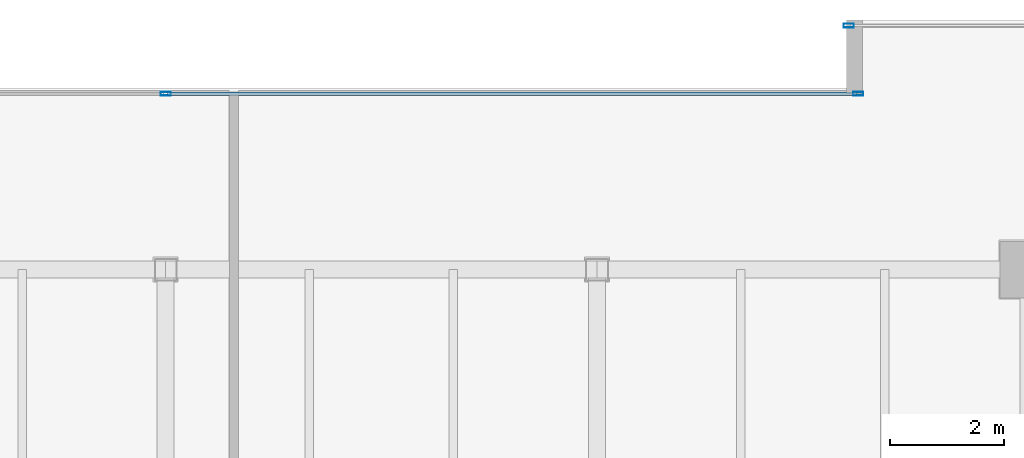
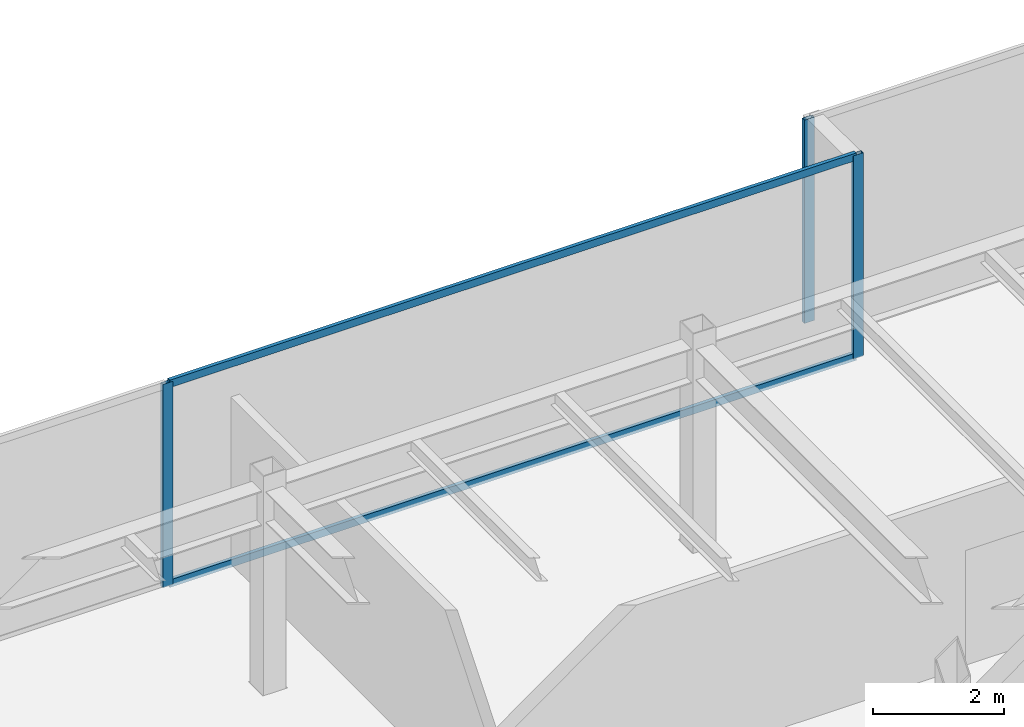
# One storey, part 19 of 35: 5 members, 2 elements without a shape of their own.
"""IFC4 building model written with IfcOpenShell, lengths in metres."""

from ifc_helpers import new_model, si_unit, direction, frame, origin, origin_2d, place, context, subcontext, project, spatial, hollow_rectangle, extrude, source, transform, mapped, material, layer, layer_set, material_profile, profile_set, type_object, type_shapes, element, aggregate, save


model = new_model("IFC4")

# Units and contexts
model_context = context("Model", 3, precision=1e-05, world=origin(), true_north=direction((0.0, 1.0)))
body_context = subcontext(model_context, "Body", "Model", "MODEL_VIEW")
ifc_project = project(units=[si_unit("LENGTHUNIT", "METRE"), si_unit("AREAUNIT", "SQUARE_METRE"), si_unit("VOLUMEUNIT", "CUBIC_METRE"), si_unit("PLANEANGLEUNIT", "RADIAN"), si_unit("MASSUNIT", "GRAM", prefix="KILO")], contexts=[model_context])

# Site, building, storey
site_placement = place(None, origin())
site = spatial("IfcSite", under=ifc_project, at=site_placement, CompositionType="ELEMENT")
building_placement = place(site_placement, origin())
building = spatial("IfcBuilding", under=site, at=building_placement, Name="Haelvirn Gate Laboratories", CompositionType="ELEMENT")
storey_placement = place(building_placement, frame((0.0, 0.0, 226.0)))
storey = spatial("IfcBuildingStorey", under=building, at=storey_placement, Name="L54", CompositionType="ELEMENT", Elevation=226.0)

# Curtain wall, members
ifc_material_1 = material(Name="Anodised bronze unitised aluminium & triple low-E glass", Category="aluminium")
ifc_layer = layer(ifc_material_1, 0.176025390625, Name="CW-SYS-4")
ifc_layer_set = layer_set([ifc_layer], Name="Anodised bronze unitised aluminium & triple low-E glass")
curtain_wall_type = type_object("IfcCurtainWallType", Name="CW-SYS-4", PredefinedType="NOTDEFINED", material=ifc_layer_set)
curtain_wall_1_placement = place(storey_placement, origin())
curtain_wall_1 = element("IfcCurtainWall", 1, at=curtain_wall_1_placement, inside=storey, type_object=curtain_wall_type, Name="L54 Unitised Curtain Wall CW-L54-P0-E12-1", PredefinedType="NOTDEFINED")
ifc_material_2 = material(Name="Extruded aluminium 6063-T6 (anodised bronze)", Category="aluminium")
ifc_material_profile_1 = material_profile(ifc_material_2, hollow_rectangle(XDim=0.06494140625, YDim=0.139892578125, WallThickness=0.00390625, at=origin_2d()), Name="CWT-140x65x4")
ifc_profile_set_1 = profile_set([ifc_material_profile_1], Name="Extruded aluminium 6063-T6 (anodised bronze)")
member_type_1 = type_object("IfcMemberType", Name="CWT-T140", PredefinedType="USERDEFINED", material=ifc_profile_set_1)
shared_shape_1 = source(origin(), body_context, "Body", "SweptSolid", [
    extrude(hollow_rectangle(XDim=0.06494140625, YDim=0.139892578125, WallThickness=0.00390625, at=origin_2d()), origin(), (0.0, 0.0, 1.0), 12.135009765625),
])
type_shapes(member_type_1, [shared_shape_1])
member_1_placement = place(storey_placement, frame((37.43505859375, 44.699951171875, 0.032470703125), z_axis=(1.0, 0.0, 0.0), x_axis=(0.0, 1.0, 0.0)))
member_1 = element("IfcMember", 2, at=member_1_placement, type_object=member_type_1, Name="CW4 transom 2.1", ObjectType="TRANSOM", PredefinedType="USERDEFINED", context=body_context, shape_type="MappedRepresentation", body=[
    mapped(shared_shape_1, transform((0.0, 0.0, 0.0), scale=1.0)),
])
member_2_placement = place(storey_placement, frame((37.43505859375, 44.699951171875, 3.767578125), z_axis=(1.0, 0.0, 0.0), x_axis=(0.0, 1.0, 0.0)))
member_2 = element("IfcMember", 3, at=member_2_placement, type_object=member_type_1, Name="CW4 transom 2.2", ObjectType="TRANSOM", PredefinedType="USERDEFINED", context=body_context, shape_type="MappedRepresentation", body=[
    mapped(shared_shape_1, transform((0.0, 0.0, 0.0), scale=1.0)),
])

# Curtain wall, member
curtain_wall_2_placement = place(storey_placement, origin())
curtain_wall_2 = element("IfcCurtainWall", 4, at=curtain_wall_2_placement, inside=storey, type_object=curtain_wall_type, Name="L54 Unitised Curtain Wall CW-L54-P0-E10-1", PredefinedType="NOTDEFINED")
ifc_material_profile_2 = material_profile(ifc_material_2, hollow_rectangle(XDim=0.070068359375, YDim=0.179931640625, WallThickness=0.0048828125, at=origin_2d()), Name="CWM-180x70x5")
ifc_profile_set_2 = profile_set([ifc_material_profile_2], Name="Extruded aluminium 6063-T6 (anodised bronze)")
member_type_2 = type_object("IfcMemberType", Name="CWM-T180", PredefinedType="MULLION", material=ifc_profile_set_2)
shared_shape_2 = source(origin(), body_context, "Body", "SweptSolid", [
    extrude(hollow_rectangle(XDim=0.070068359375, YDim=0.179931640625, WallThickness=0.0048828125, at=origin_2d()), origin(), (0.0, 0.0, 1.0), 3.800048828125),
])
type_shapes(member_type_2, [shared_shape_2])
member_3_placement = place(storey_placement, frame((49.43505859375, 45.89990234375, 0.0), z_axis=(0.0, 0.0, 1.0), x_axis=(0.0, 1.0, 0.0)))
member_3 = element("IfcMember", 5, at=member_3_placement, type_object=member_type_2, Name="CW4 mullion 1", PredefinedType="MULLION", context=body_context, shape_type="MappedRepresentation", body=[
    mapped(shared_shape_2, transform((0.0, 0.0, 0.0), scale=1.0)),
])
aggregate(curtain_wall_2, [member_3])

# Member
member_4_placement = place(storey_placement, frame((37.39990234375, 44.699951171875, 0.0), z_axis=(0.0, 0.0, 1.0), x_axis=(0.0, 1.0, 0.0)))
member_4 = element("IfcMember", 6, at=member_4_placement, type_object=member_type_2, Name="CW4 mullion 2", PredefinedType="MULLION", context=body_context, shape_type="MappedRepresentation", body=[
    mapped(shared_shape_2, transform((0.0, 0.0, 0.0), scale=1.0)),
])

member_5_placement = place(storey_placement, frame((49.60498046875, 44.699951171875, 0.0), z_axis=(0.0, 0.0, 1.0), x_axis=(0.0, 1.0, 0.0)))
member_5 = element("IfcMember", 7, at=member_5_placement, type_object=member_type_2, Name="CW4 mullion 3", PredefinedType="MULLION", context=body_context, shape_type="MappedRepresentation", body=[
    mapped(shared_shape_2, transform((0.0, 0.0, 0.0), scale=1.0)),
])

aggregate(curtain_wall_1, [member_4, member_5, member_1, member_2])

save(model, "model.ifc")
